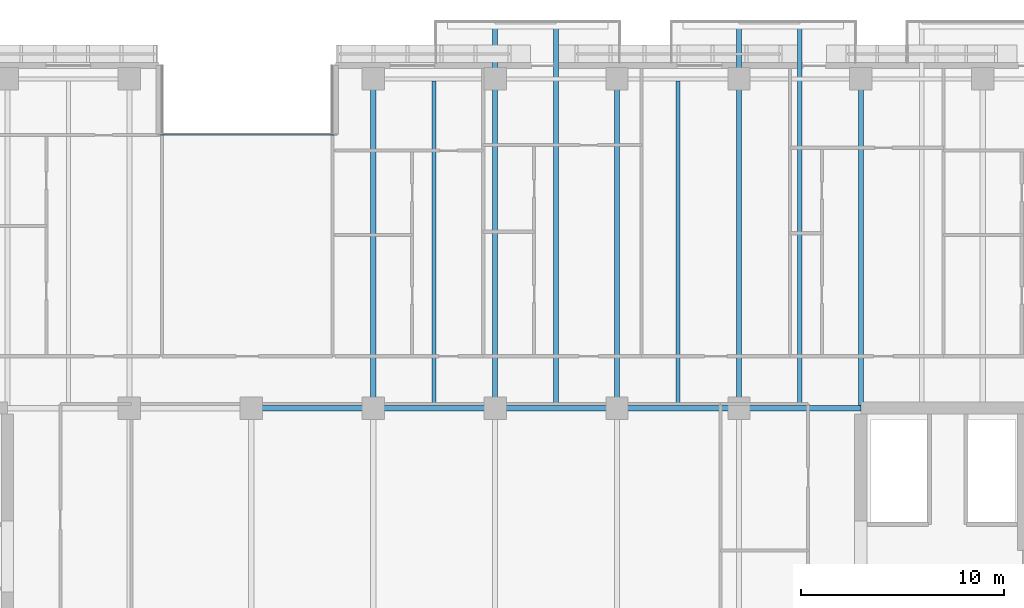
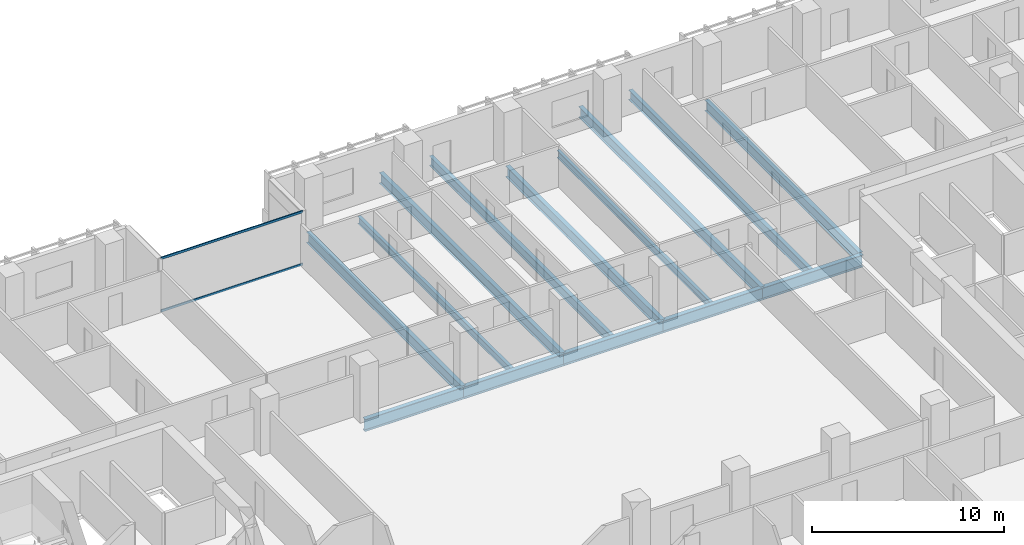
# One storey, part 7 of 26: 14 beams, 2 members, 1 element without a shape of its own.
"""IFC4 building model written with IfcOpenShell, lengths in metres."""

from ifc_helpers import new_model, si_unit, direction, frame, origin, origin_2d, place, context, subcontext, project, spatial, hollow_rectangle, i_section, extrude, material, layer, layer_set, material_profile, profile_set, type_object, element, aggregate, save


model = new_model("IFC4")

# Units and contexts
model_context = context("Model", 3, precision=1e-05, world=origin(), true_north=direction((0.0, 1.0)))
body_context = subcontext(model_context, "Body", "Model", "MODEL_VIEW")
ifc_project = project(units=[si_unit("LENGTHUNIT", "METRE"), si_unit("AREAUNIT", "SQUARE_METRE"), si_unit("VOLUMEUNIT", "CUBIC_METRE"), si_unit("PLANEANGLEUNIT", "RADIAN"), si_unit("MASSUNIT", "GRAM", prefix="KILO")], contexts=[model_context])

# Site, building, storey
site_placement = place(None, origin())
site = spatial("IfcSite", under=ifc_project, at=site_placement, CompositionType="ELEMENT")
building_placement = place(site_placement, origin())
building = spatial("IfcBuilding", under=site, at=building_placement, Name="Tanjung Sevakor Pilgrim Tower", CompositionType="ELEMENT")
storey_placement = place(building_placement, frame((0.0, 0.0, 66.0)))
storey = spatial("IfcBuildingStorey", under=building, at=storey_placement, Name="L18", CompositionType="ELEMENT", Elevation=66.0)

# Beams
ifc_material_1 = material(Name="Steel S355J2", Category="steel")
ifc_material_profile_1 = material_profile(ifc_material_1, i_section(OverallWidth=0.26806640625, OverallDepth=0.769775390625, WebThickness=0.015625, FlangeThickness=0.025390625, FilletRadius=0.0166015625, at=origin_2d()))
ifc_profile_set_1 = profile_set([ifc_material_profile_1], Name="Steel S355J2")
beam_type_1 = type_object("IfcBeamType", Name="BM-B-G1-UB_762x267x197", PredefinedType="BEAM", material=ifc_profile_set_1)
for number, where, z_axis, x_axis, name in (
    (1, (48.0, 42.60009765625, -0.60498046875), (1.0, 0.0, 0.0), (0.0, 1.0, 0.0), "L18 Primary Floor Girder MAIN Y426-04"),
    (2, (54.0, 42.60009765625, -0.60498046875), (1.0, 0.0, 0.0), (0.0, 1.0, 0.0), "L18 Primary Floor Girder MAIN Y426-05"),
    (3, (60.0, 42.60009765625, -0.60498046875), (1.0, 0.0, 0.0), (0.0, 1.0, 0.0), "L18 Primary Floor Girder MAIN Y426-06"),
    (4, (66.0, 42.60009765625, -0.60498046875), (1.0, 0.0, 0.0), (0.0, 1.0, 0.0), "L18 Primary Floor Girder MAIN Y426-07"),
    (5, (72.0, 42.60009765625, -0.60498046875), (1.0, 0.0, 0.0), (0.0, 1.0, 0.0), "L18 Primary Floor Girder MAIN Y426-08"),
):
    element("IfcBeam", number, at=place(storey_placement, frame(where, z_axis=z_axis, x_axis=x_axis)), inside=storey, type_object=beam_type_1, Name=name, PredefinedType="BEAM", context=body_context, shape_type="SweptSolid", body=[
        extrude(i_section(OverallWidth=0.26806640625, OverallDepth=0.769775390625, WebThickness=0.015625, FlangeThickness=0.025390625, FilletRadius=0.0166015625, at=origin_2d()), origin(), (0.0, 0.0, 1.0), 6.0),
    ])
ifc_material_2 = material(Name="Steel S355J2", Category="steel")
ifc_material_profile_2 = material_profile(ifc_material_2, i_section(OverallWidth=0.25439453125, OverallDepth=0.6875, WebThickness=0.01318359375, FlangeThickness=0.02099609375, FilletRadius=0.01513671875, at=origin_2d()))
ifc_profile_set_2 = profile_set([ifc_material_profile_2], Name="Steel S355J2")
beam_type_2 = type_object("IfcBeamType", Name="BM-B-G2-UB_686x254x152", PredefinedType="BEAM", material=ifc_profile_set_2)
beam_1_placement = place(storey_placement, frame((54.0, 42.60009765625, -0.563720703125), z_axis=(0.0, 1.0, 0.0), x_axis=(-1.0, 0.0, 0.0)))
element("IfcBeam", 6, at=beam_1_placement, inside=storey, type_object=beam_type_2, Name="L18 MAIN Girder 015", PredefinedType="BEAM", context=body_context, shape_type="SweptSolid", body=[
    extrude(i_section(OverallWidth=0.25439453125, OverallDepth=0.6875, WebThickness=0.01318359375, FlangeThickness=0.02099609375, FilletRadius=0.01513671875, at=origin_2d()), origin(), (0.0, 0.0, 1.0), 16.199951171875),
])
beam_2_placement = place(storey_placement, frame((60.0, 42.60009765625, -0.563720703125), z_axis=(0.0, 1.0, 0.0), x_axis=(-1.0, 0.0, 0.0)))
element("IfcBeam", 7, at=beam_2_placement, inside=storey, type_object=beam_type_2, Name="L18 Balcony Cantilever Beam MAIN-N2-1", PredefinedType="BEAM", context=body_context, shape_type="SweptSolid", body=[
    extrude(i_section(OverallWidth=0.25439453125, OverallDepth=0.6875, WebThickness=0.01318359375, FlangeThickness=0.02099609375, FilletRadius=0.01513671875, at=origin_2d()), origin(), (0.0, 0.0, 1.0), 18.97998046875),
])
beam_3_placement = place(storey_placement, frame((66.0, 42.60009765625, -0.563720703125), z_axis=(0.0, 1.0, 0.0), x_axis=(-1.0, 0.0, 0.0)))
element("IfcBeam", 8, at=beam_3_placement, inside=storey, type_object=beam_type_2, Name="L18 MAIN Girder 021", PredefinedType="BEAM", context=body_context, shape_type="SweptSolid", body=[
    extrude(i_section(OverallWidth=0.25439453125, OverallDepth=0.6875, WebThickness=0.01318359375, FlangeThickness=0.02099609375, FilletRadius=0.01513671875, at=origin_2d()), origin(), (0.0, 0.0, 1.0), 16.199951171875),
])
beam_4_placement = place(storey_placement, frame((72.0, 42.60009765625, -0.563720703125), z_axis=(0.0, 1.0, 0.0), x_axis=(-1.0, 0.0, 0.0)))
element("IfcBeam", 9, at=beam_4_placement, inside=storey, type_object=beam_type_2, Name="L18 Balcony Cantilever Beam MAIN-N3-1", PredefinedType="BEAM", context=body_context, shape_type="SweptSolid", body=[
    extrude(i_section(OverallWidth=0.25439453125, OverallDepth=0.6875, WebThickness=0.01318359375, FlangeThickness=0.02099609375, FilletRadius=0.01513671875, at=origin_2d()), origin(), (0.0, 0.0, 1.0), 18.97998046875),
])
beam_5_placement = place(storey_placement, frame((78.0, 42.73388671875, -0.563720703125), z_axis=(0.0, 1.0, 0.0), x_axis=(-1.0, 0.0, 0.0)))
element("IfcBeam", 10, at=beam_5_placement, inside=storey, type_object=beam_type_2, Name="L18 MAIN Girder 026", PredefinedType="BEAM", context=body_context, shape_type="SweptSolid", body=[
    extrude(i_section(OverallWidth=0.25439453125, OverallDepth=0.6875, WebThickness=0.01318359375, FlangeThickness=0.02099609375, FilletRadius=0.01513671875, at=origin_2d()), origin(), (0.0, 0.0, 1.0), 16.066162109375),
])
ifc_material_3 = material(Name="Steel S355J2", Category="steel")
ifc_material_profile_3 = material_profile(ifc_material_3, i_section(OverallWidth=0.22900390625, OverallDepth=0.6123046875, WebThickness=0.011962890625, FlangeThickness=0.01953125, FilletRadius=0.0126953125, at=origin_2d()))
ifc_profile_set_3 = profile_set([ifc_material_profile_3], Name="Steel S355J2")
beam_type_3 = type_object("IfcBeamType", Name="BM-B-G4-UB_610x229x125", PredefinedType="BEAM", material=ifc_profile_set_3)
for number, where, z_axis, x_axis, name in (
    (11, (63.0, 42.73388671875, -0.526123046875), (0.0, 1.0, 0.0), (-1.0, 0.0, 0.0), "L18 Balcony Cantilever Beam MAIN-N2-2"),
    (12, (75.0, 42.73388671875, -0.526123046875), (0.0, 1.0, 0.0), (-1.0, 0.0, 0.0), "L18 Balcony Cantilever Beam MAIN-N3-2"),
):
    element("IfcBeam", number, at=place(storey_placement, frame(where, z_axis=z_axis, x_axis=x_axis)), inside=storey, type_object=beam_type_3, Name=name, PredefinedType="BEAM", context=body_context, shape_type="SweptSolid", body=[
        extrude(i_section(OverallWidth=0.22900390625, OverallDepth=0.6123046875, WebThickness=0.011962890625, FlangeThickness=0.01953125, FilletRadius=0.0126953125, at=origin_2d()), origin(), (0.0, 0.0, 1.0), 18.84619140625),
    ])
ifc_material_4 = material(Name="Steel S355J2", Category="steel")
ifc_material_profile_4 = material_profile(ifc_material_4, i_section(OverallWidth=0.19140625, OverallDepth=0.4599609375, WebThickness=0.010009765625, FlangeThickness=0.01611328125, FilletRadius=0.01025390625, at=origin_2d()))
ifc_profile_set_4 = profile_set([ifc_material_profile_4], Name="Steel S355J2")
beam_type_4 = type_object("IfcBeamType", Name="BM-B-J2-UB_457x191x82", PredefinedType="JOIST", material=ifc_profile_set_4)
for number, where, z_axis, x_axis, name in (
    (13, (57.0, 42.73388671875, -0.449951171875), (0.0, 1.0, 0.0), (-1.0, 0.0, 0.0), "L18 MAIN Joist 017"),
    (14, (69.0, 42.73388671875, -0.449951171875), (0.0, 1.0, 0.0), (-1.0, 0.0, 0.0), "L18 MAIN Joist 023"),
):
    element("IfcBeam", number, at=place(storey_placement, frame(where, z_axis=z_axis, x_axis=x_axis)), inside=storey, type_object=beam_type_4, Name=name, PredefinedType="JOIST", context=body_context, shape_type="SweptSolid", body=[
        extrude(i_section(OverallWidth=0.19140625, OverallDepth=0.4599609375, WebThickness=0.010009765625, FlangeThickness=0.01611328125, FilletRadius=0.01025390625, at=origin_2d()), origin(), (0.0, 0.0, 1.0), 15.966064453125),
    ])

# Curtain wall, members
ifc_material_5 = material(Name="Aluminium 6063-T6 and Low-E Glass", Category="aluminium")
ifc_layer = layer(ifc_material_5, 0.179931640625)
ifc_layer_set = layer_set([ifc_layer], Name="CW-SYS-CLEFT")
curtain_wall_type = type_object("IfcCurtainWallType", Name="CW-SYS-CLEFT", PredefinedType="NOTDEFINED", material=ifc_layer_set)
curtain_wall_placement = place(storey_placement, origin())
curtain_wall = element("IfcCurtainWall", 15, at=curtain_wall_placement, inside=storey, type_object=curtain_wall_type, Name="L18 Curtain Wall CW-CLF-L18-10", PredefinedType="NOTDEFINED")
ifc_material_6 = material(Name="Aluminium 6063-T6", Category="aluminium")
ifc_material_profile_5 = material_profile(ifc_material_6, hollow_rectangle(XDim=0.06494140625, YDim=0.139892578125, WallThickness=0.00390625, at=origin_2d()))
ifc_profile_set_5 = profile_set([ifc_material_profile_5], Name="Aluminium 6063-T6")
member_type = type_object("IfcMemberType", Name="TYPE-CWT-1", PredefinedType="USERDEFINED", material=ifc_profile_set_5)
member_1_placement = place(storey_placement, frame((52.06494140625, 56.06005859375, 0.032470703125), z_axis=(-1.0, 0.0, 0.0), x_axis=(0.0, -1.0, 0.0)))
member_1 = element("IfcMember", 16, at=member_1_placement, type_object=member_type, Name="CW-CLF transom 1.1", ObjectType="TRANSOM", PredefinedType="USERDEFINED", context=body_context, shape_type="SweptSolid", body=[
    extrude(hollow_rectangle(XDim=0.06494140625, YDim=0.139892578125, WallThickness=0.00390625, at=origin_2d()), origin(), (0.0, 0.0, 1.0), 8.530029296875),
])
member_2_placement = place(storey_placement, frame((52.06494140625, 56.06005859375, 3.37744140625), z_axis=(-1.0, 0.0, 0.0), x_axis=(0.0, -1.0, 0.0)))
member_2 = element("IfcMember", 17, at=member_2_placement, type_object=member_type, Name="CW-CLF transom 1.2", ObjectType="TRANSOM", PredefinedType="USERDEFINED", context=body_context, shape_type="SweptSolid", body=[
    extrude(hollow_rectangle(XDim=0.06494140625, YDim=0.139892578125, WallThickness=0.00390625, at=origin_2d()), origin(), (0.0, 0.0, 1.0), 8.530029296875),
])
aggregate(curtain_wall, [member_1, member_2])

save(model, "model.ifc")
